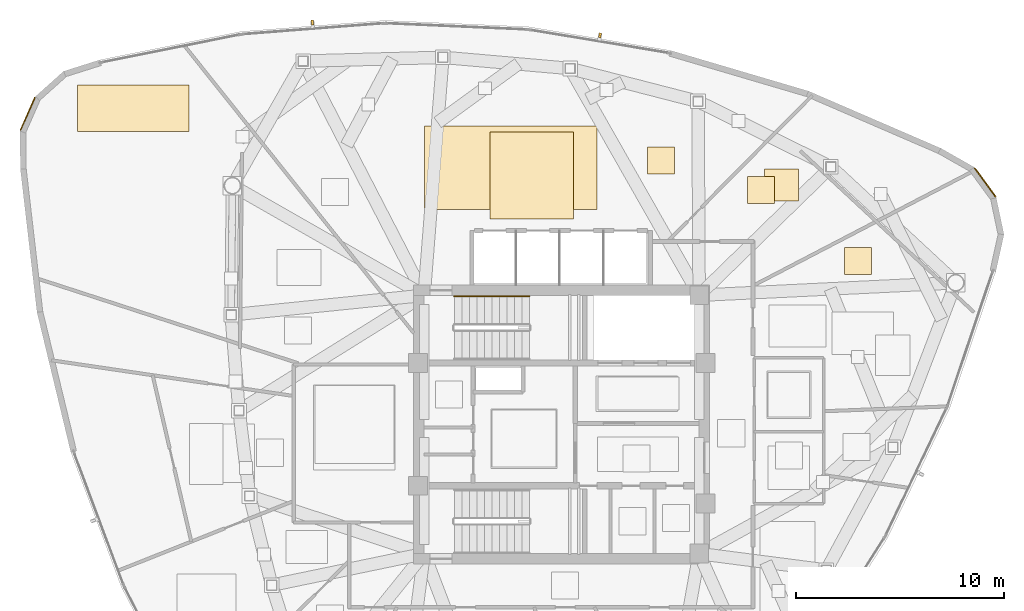
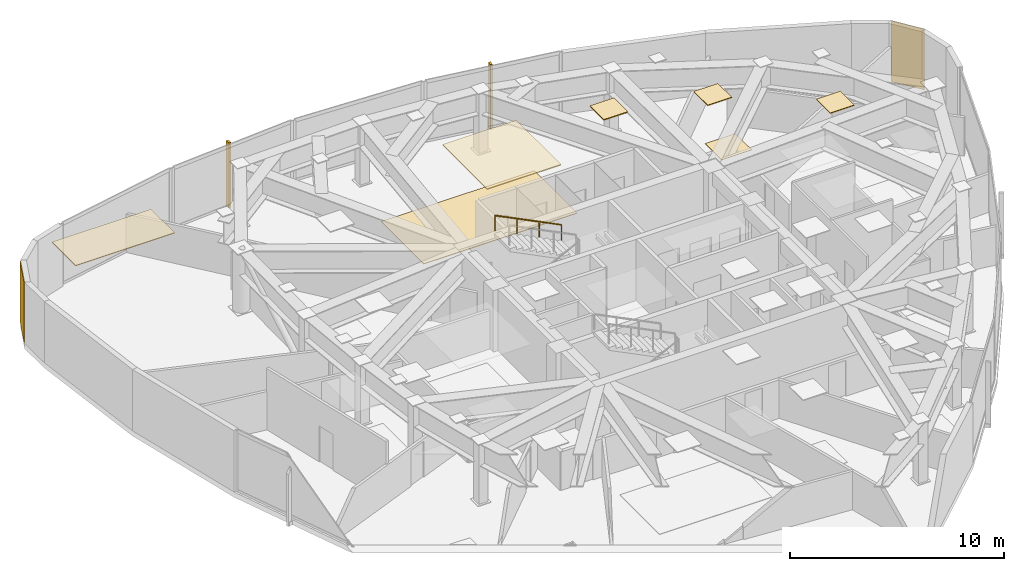
# One storey, part 13 of 13: 9 coverings, 2 shading devices, 1 railing.
"""IFC4 building model written with IfcOpenShell, lengths in metres."""

from ifc_helpers import new_model, si_unit, direction, frame, origin, origin_2d, place, context, subcontext, project, spatial, polyline, rectangle, outline, extrude, source, transform, mapped, material, layer, layer_set, type_object, type_shapes, element, save


model = new_model("IFC4")

# Units and contexts
model_context = context("Model", 3, precision=1e-05, world=origin(), true_north=direction((0.0, 1.0)))
body_context = subcontext(model_context, "Body", "Model", "MODEL_VIEW")
ifc_project = project(units=[si_unit("LENGTHUNIT", "METRE"), si_unit("AREAUNIT", "SQUARE_METRE"), si_unit("VOLUMEUNIT", "CUBIC_METRE"), si_unit("PLANEANGLEUNIT", "RADIAN"), si_unit("MASSUNIT", "GRAM", prefix="KILO")], contexts=[model_context])

# Site, building, storey
site_placement = place(None, origin())
site = spatial("IfcSite", under=ifc_project, at=site_placement, CompositionType="ELEMENT")
building_placement = place(site_placement, origin())
building = spatial("IfcBuilding", under=site, at=building_placement, Name="Tavelor Broadcast Tower", CompositionType="ELEMENT")
storey_placement = place(building_placement, frame((0.0, 0.0, 269.550048828125)))
storey = spatial("IfcBuildingStorey", under=building, at=storey_placement, Name="L64", CompositionType="ELEMENT", Elevation=269.550048828125)

# Coverings
ifc_material_1 = material(Name="Copper-Bronze Anodized Aluminium", Category="aluminium")
ifc_layer_1 = layer(ifc_material_1, 0.050048828125)
ifc_layer_set_1 = layer_set([ifc_layer_1], Name="Copper-Bronze Anodized Aluminium")
covering_type_1 = type_object("IfcCoveringType", Name="Champagne-Bronze Corner Pier Metal Cladding 50 mm", PredefinedType="CLADDING", material=ifc_layer_set_1)
for number, where, z_axis, x_axis, name in (
    (1, (24.370361328125, 59.90771484375, 0.02001953125), (0.0, 0.0, 1.0), (-0.404343595529, -0.914607159799, 0.0), "L64 Champagne-Bronze Corner Cladding 03"),
    (2, (70.3251953125, 56.624267578125, 0.02001953125), (0.0, 0.0, 1.0), (-0.589901237104, 0.807475405485, 0.0), "L64 Champagne-Bronze Corner Cladding 23"),
):
    element("IfcCovering", number, at=place(storey_placement, frame(where, z_axis=z_axis, x_axis=x_axis)), inside=storey, type_object=covering_type_1, Name=name, PredefinedType="CLADDING", context=body_context, shape_type="SweptSolid", body=[
        extrude(rectangle(XDim=1.716796875, YDim=0.050048828125, at=origin_2d()), origin(), (0.0, 0.0, 1.0), 3.4599609375),
    ])

# Railing
ifc_material_2 = material(Name="Steel S355", Category="steel")
railing_type = type_object("IfcRailingType", Name="Continuous Brushed Stainless Handrail 900 mm", PredefinedType="HANDRAIL", material=ifc_material_2)
railing_placement = place(storey_placement, frame((48.449951171875, 51.14990234375, 2.154541015625)))
element("IfcRailing", 3, at=railing_placement, inside=storey, type_object=railing_type, Name="L64 ST1 stair handrail 2", PredefinedType="HANDRAIL", context=body_context, shape_type="SweptSolid", body=[
    extrude(rectangle(XDim=0.048095703125, YDim=0.048095703125, at=origin_2d()), frame((0.0, 0.0, 0.8759765625), z_axis=(-0.894875846893, 0.0, 0.446315156192), x_axis=(0.0, -1.0, 0.0)), (0.0, 0.0, 1.0), 4.022705078125),
    extrude(rectangle(XDim=0.0419921875, YDim=0.0419921875, at=origin_2d()), origin(), (0.0, 0.0, 1.0), 0.851806640625),
    extrude(rectangle(XDim=0.0419921875, YDim=0.0419921875, at=origin_2d()), frame((-1.199951171875, 0.0, 0.598388671875)), (0.0, 0.0, 1.0), 0.851806640625),
    extrude(rectangle(XDim=0.0419921875, YDim=0.0419921875, at=origin_2d()), frame((-2.39990234375, 0.0, 1.197021484375)), (0.0, 0.0, 1.0), 0.851806640625),
    extrude(rectangle(XDim=0.0419921875, YDim=0.0419921875, at=origin_2d()), frame((-3.599853515625, 0.0, 1.79541015625)), (0.0, 0.0, 1.0), 0.851806640625),
])

# Coverings
ifc_material_3 = material(Name="Acoustic Nylon Carpet Tile")
ifc_layer_2 = layer(ifc_material_3, 0.02001953125)
ifc_layer_set_2 = layer_set([ifc_layer_2], Name="Acoustic Nylon Carpet Tile")
covering_type_2 = type_object("IfcCoveringType", Name="Heavy-Duty Acoustic Broadcast Carpet Tile 20 mm", PredefinedType="FLOORING", material=ifc_layer_set_2)
covering_1_placement = place(storey_placement, origin())
element("IfcCovering", 4, at=covering_1_placement, inside=storey, type_object=covering_type_2, Name="L64 Broadcast Floor Finish 0963", PredefinedType="FLOORING", context=body_context, shape_type="SweptSolid", body=[
    extrude(outline(polyline([(59.738525390625, 55.718505859375), (61.3759765625, 55.718505859375), (61.3759765625, 57.259765625), (59.738525390625, 57.259765625), (59.738525390625, 55.718505859375)])), origin(), (0.0, 0.0, 1.0), 0.02001953125),
])
ifc_material_4 = material(Name="Acoustic Hardwood Studio Flooring", Category="wood")
ifc_layer_3 = layer(ifc_material_4, 0.034912109375)
ifc_layer_set_3 = layer_set([ifc_layer_3], Name="Acoustic Hardwood Studio Flooring")
covering_type_3 = type_object("IfcCoveringType", Name="Isolated Studio Acoustic Elastomeric Floor Finish 35 mm", PredefinedType="FLOORING", material=ifc_layer_set_3)
covering_2_placement = place(storey_placement, origin())
element("IfcCovering", 5, at=covering_2_placement, inside=storey, type_object=covering_type_3, Name="L64 Broadcast Floor Finish 0962", PredefinedType="FLOORING", context=body_context, shape_type="SweptSolid", body=[
    extrude(outline(polyline([(43.415771484375, 55.326416015625), (51.70849609375, 55.326416015625), (51.70849609375, 59.3173828125), (43.415771484375, 59.3173828125), (43.415771484375, 55.326416015625)])), origin(), (0.0, 0.0, 1.0), 0.034912109375),
])
ifc_material_5 = material(Name="Acoustic Perforated Timber Baffle", Category="wood")
ifc_layer_4 = layer(ifc_material_5, 0.054931640625)
ifc_layer_set_4 = layer_set([ifc_layer_4], Name="Acoustic Perforated Timber Baffle")
covering_type_4 = type_object("IfcCoveringType", Name="Micro-Perforated Acoustic Baffle Studio Ceiling 55 mm", PredefinedType="CEILING", material=ifc_layer_set_4)
covering_3_placement = place(storey_placement, frame((0.0, 0.0, 3.445068359375)))
element("IfcCovering", 6, at=covering_3_placement, inside=storey, type_object=covering_type_4, Name="L64 Suspended Acoustic Ceiling 2501", PredefinedType="CEILING", context=body_context, shape_type="SweptSolid", body=[
    extrude(outline(polyline([(54.11767578125, 57.02001953125), (55.417724609375, 57.02001953125), (55.417724609375, 58.31982421875), (54.11767578125, 58.31982421875), (54.11767578125, 57.02001953125)])), origin(), (0.0, 0.0, 1.0), 0.054931640625),
])
covering_4_placement = place(storey_placement, frame((0.0, 0.0, 3.445068359375)))
element("IfcCovering", 7, at=covering_4_placement, inside=storey, type_object=covering_type_4, Name="L64 Suspended Acoustic Ceiling 2502", PredefinedType="CEILING", context=body_context, shape_type="SweptSolid", body=[
    extrude(outline(polyline([(46.568603515625, 54.851318359375), (50.5615234375, 54.851318359375), (50.5615234375, 59.040283203125), (46.568603515625, 59.040283203125), (46.568603515625, 54.851318359375)])), origin(), (0.0, 0.0, 1.0), 0.054931640625),
])
ifc_material_6 = material(Name="Acoustic Mineral Fibre Tile")
ifc_layer_5 = layer(ifc_material_6, 0.0400390625)
ifc_layer_set_5 = layer_set([ifc_layer_5], Name="Acoustic Mineral Fibre Tile")
covering_type_5 = type_object("IfcCoveringType", Name="Suspended Acoustic Mineral-Fibre Office Ceiling 40 mm", PredefinedType="CEILING", material=ifc_layer_set_5)
covering_5_placement = place(storey_placement, frame((0.0, 0.0, 3.4599609375)))
element("IfcCovering", 8, at=covering_5_placement, inside=storey, type_object=covering_type_5, Name="L64 Suspended Acoustic Ceiling 2499", PredefinedType="CEILING", context=body_context, shape_type="SweptSolid", body=[
    extrude(outline(polyline([(26.758544921875, 59.068359375), (32.114990234375, 59.068359375), (32.114990234375, 61.28759765625), (26.758544921875, 61.28759765625), (26.758544921875, 59.068359375)])), origin(), (0.0, 0.0, 1.0), 0.0400390625),
])
covering_6_placement = place(storey_placement, frame((0.0, 0.0, 3.4599609375)))
element("IfcCovering", 9, at=covering_6_placement, inside=storey, type_object=covering_type_5, Name="L64 Suspended Acoustic Ceiling 2504", PredefinedType="CEILING", context=body_context, shape_type="SweptSolid", body=[
    extrude(outline(polyline([(58.92333984375, 55.60498046875), (60.223388671875, 55.60498046875), (60.223388671875, 56.90478515625), (58.92333984375, 56.90478515625), (58.92333984375, 55.60498046875)])), origin(), (0.0, 0.0, 1.0), 0.0400390625),
])
covering_7_placement = place(storey_placement, frame((0.0, 0.0, 3.4599609375)))
element("IfcCovering", 10, at=covering_7_placement, inside=storey, type_object=covering_type_5, Name="L64 Suspended Acoustic Ceiling 2505", PredefinedType="CEILING", context=body_context, shape_type="SweptSolid", body=[
    extrude(outline(polyline([(63.5771484375, 52.18701171875), (64.877197265625, 52.18701171875), (64.877197265625, 53.487060546875), (63.5771484375, 53.487060546875), (63.5771484375, 52.18701171875)])), origin(), (0.0, 0.0, 1.0), 0.0400390625),
])

# Shading devices
ifc_material_7 = material(Name="Kiln-Fired Glazed Terracotta", Category="masonry")
shading_device_type = type_object("IfcShadingDeviceType", Name="Extruded Terracotta Baguette Sun-Screen 110x240", PredefinedType="JALOUSIE", material=ifc_material_7)
shared_shape = source(origin(), body_context, "Body", "SweptSolid", [
    extrude(rectangle(XDim=0.110107421875, YDim=0.239990234375, at=origin_2d()), origin(), (0.0, 0.0, 1.0), 3.739990234375),
])
type_shapes(shading_device_type, [shared_shape])
for number, where, z_axis, x_axis, name in (
    (11, (51.843505859375, 63.680419921875, -0.26025390625), (0.0, 0.0, 1.0), (-0.98637188506, 0.164531165327, 0.0), "L64 Terracotta Baguette Fin 659"),
    (12, (38.0380859375, 64.2890625, -0.26025390625), (0.0, 0.0, 1.0), (-0.997012445566, -0.077241073187, 0.0), "L64 Terracotta Baguette Fin 660"),
):
    element("IfcShadingDevice", number, at=place(storey_placement, frame(where, z_axis=z_axis, x_axis=x_axis)), inside=storey, type_object=shading_device_type, Name=name, PredefinedType="JALOUSIE", context=body_context, shape_type="MappedRepresentation", body=[
        mapped(shared_shape, transform((0.0, 0.0, 0.0), scale=1.0)),
    ])

save(model, "model.ifc")
